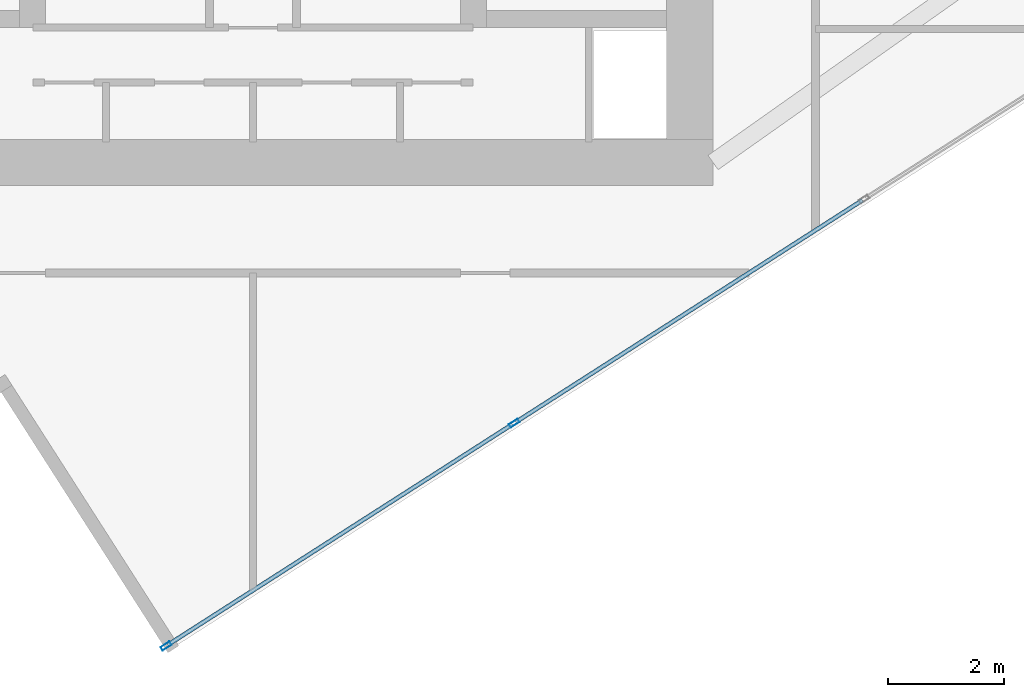
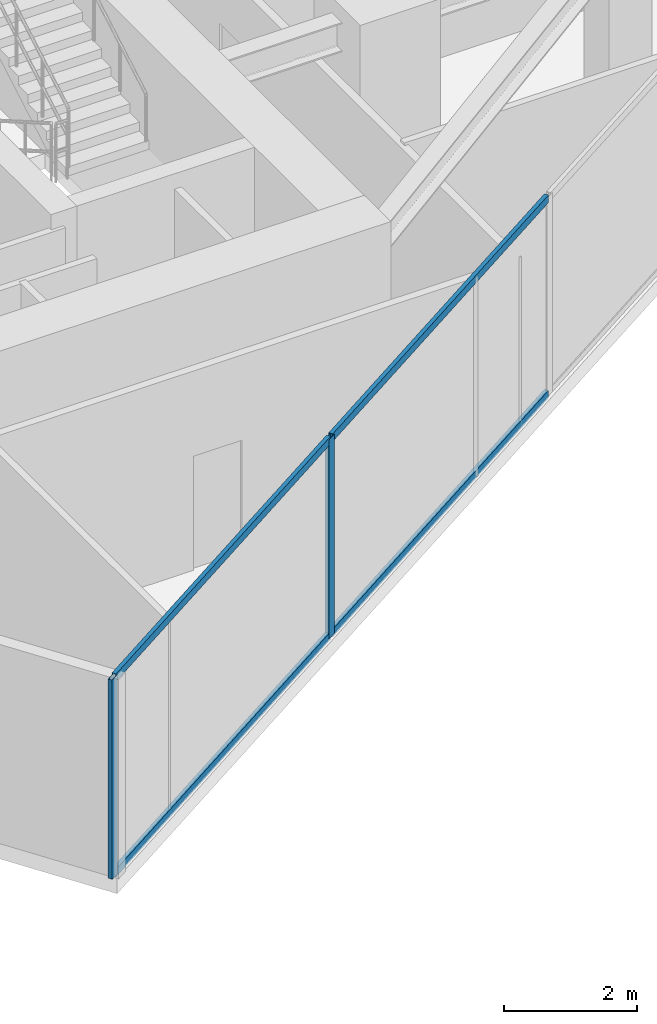
# One storey, part 3 of 20: 6 members, 1 element without a shape of its own.
"""IFC4 building model written with IfcOpenShell, lengths in metres."""

from ifc_helpers import new_model, si_unit, direction, frame, origin, origin_2d, place, context, subcontext, project, spatial, hollow_rectangle, extrude, source, transform, mapped, material, material_profile, profile_set, type_object, type_shapes, element, aggregate, save


model = new_model("IFC4")

# Units and contexts
model_context = context("Model", 3, precision=1e-05, world=origin(), true_north=direction((0.0, 1.0)))
body_context = subcontext(model_context, "Body", "Model", "MODEL_VIEW")
ifc_project = project(units=[si_unit("LENGTHUNIT", "METRE"), si_unit("AREAUNIT", "SQUARE_METRE"), si_unit("VOLUMEUNIT", "CUBIC_METRE"), si_unit("PLANEANGLEUNIT", "RADIAN"), si_unit("MASSUNIT", "GRAM", prefix="KILO")], contexts=[model_context])

# Site, building, storey
site_placement = place(None, origin())
site = spatial("IfcSite", under=ifc_project, at=site_placement, CompositionType="ELEMENT")
building_placement = place(site_placement, origin())
building = spatial("IfcBuilding", under=site, at=building_placement, Name="Krantzveldt Concourse Tower", CompositionType="ELEMENT")
storey_placement = place(building_placement, frame((0.0, 0.0, 283.199951171875)))
storey = spatial("IfcBuildingStorey", under=building, at=storey_placement, Name="L69", CompositionType="ELEMENT", Elevation=283.199951171875)

# Curtain wall, members
ifc_material = material(Name="Anodised aluminium 6063-T6", Category="aluminium")
curtain_wall_type = type_object("IfcCurtainWallType", Name="CW4", PredefinedType="USERDEFINED", material=ifc_material)
curtain_wall_placement = place(storey_placement, origin())
curtain_wall = element("IfcCurtainWall", 1, at=curtain_wall_placement, inside=storey, type_object=curtain_wall_type, Name="CW-L69-F07", ObjectType="UNITISED CURTAIN WALL", PredefinedType="USERDEFINED")
ifc_material_profile_1 = material_profile(ifc_material, hollow_rectangle(XDim=0.070068359375, YDim=0.179931640625, WallThickness=0.0048828125, at=origin_2d()), Name="Anodised aluminium 6063-T6", Category="aluminium")
ifc_profile_set_1 = profile_set([ifc_material_profile_1], Name="Anodised aluminium 6063-T6 - ALU-MULL 180x70x5")
member_type_1 = type_object("IfcMemberType", Name="CW-MUL-180", PredefinedType="MULLION", material=ifc_profile_set_1)
shared_shape_1 = source(origin(), body_context, "Body", "SweptSolid", [
    extrude(hollow_rectangle(XDim=0.070068359375, YDim=0.179931640625, WallThickness=0.0048828125, at=origin_2d()), origin(), (0.0, 0.0, 1.0), 3.670166015625),
])
type_shapes(member_type_1, [shared_shape_1])
member_1_placement = place(storey_placement, frame((34.50439453125, 2.57763671875, 0.0), z_axis=(0.0, 0.0, 1.0), x_axis=(-0.53913830827, 0.842217243088, 0.0)))
member_1 = element("IfcMember", 2, at=member_1_placement, type_object=member_type_1, Name="CW-Z56 mullion 1", PredefinedType="MULLION", context=body_context, shape_type="MappedRepresentation", body=[
    mapped(shared_shape_1, transform((0.0, 0.0, 0.0), x_axis=(1.0, 0.0, 0.0), y_axis=(0.0, 1.0, 0.0), z_axis=(0.0, 0.0, 1.0), scale=1.0)),
])
member_2_placement = place(storey_placement, frame((40.496826171875, 6.41357421875, 0.0), z_axis=(0.0, 0.0, 1.0), x_axis=(-0.53913830827, 0.842217243088, 0.0)))
member_2 = element("IfcMember", 3, at=member_2_placement, type_object=member_type_1, Name="CW-Z56 mullion 2", PredefinedType="MULLION", context=body_context, shape_type="MappedRepresentation", body=[
    mapped(shared_shape_1, transform((0.0, 0.0, 0.0), x_axis=(1.0, 0.0, 0.0), y_axis=(0.0, 1.0, 0.0), z_axis=(0.0, 0.0, 1.0), scale=1.0)),
])
ifc_material_profile_2 = material_profile(ifc_material, hollow_rectangle(XDim=0.070068359375, YDim=0.139892578125, WallThickness=0.0048828125, at=origin_2d()), Name="Anodised aluminium 6063-T6", Category="aluminium")
ifc_profile_set_2 = profile_set([ifc_material_profile_2], Name="Anodised aluminium 6063-T6 - ALU-TRAN 140x70x5")
member_type_2 = type_object("IfcMemberType", Name="CW-TRN-150", PredefinedType="USERDEFINED", material=ifc_profile_set_2)
shared_shape_2 = source(origin(), body_context, "Body", "SweptSolid", [
    extrude(hollow_rectangle(XDim=0.070068359375, YDim=0.139892578125, WallThickness=0.0048828125, at=origin_2d()), origin(), (0.0, 0.0, 1.0), 7.044921875),
])
member_3_placement = place(storey_placement, frame((34.533935546875, 2.596435546875, 0.03515625), z_axis=(0.842222935186, 0.539129416232, 0.0), x_axis=(-0.539129416232, 0.842222935186, 0.0)))
member_3 = element("IfcMember", 4, at=member_3_placement, type_object=member_type_2, Name="CW-Z56 transom 1.1", ObjectType="TRANSOM", PredefinedType="USERDEFINED", context=body_context, shape_type="MappedRepresentation", body=[
    mapped(shared_shape_2, transform((0.0, 0.0, 0.0), x_axis=(1.0, 0.0, 0.0), y_axis=(0.0, 1.0, 0.0), z_axis=(0.0, 0.0, 1.0), scale=1.0)),
])
member_4_placement = place(storey_placement, frame((34.533935546875, 2.596435546875, 3.635009765625), z_axis=(0.842222935186, 0.539129416232, 0.0), x_axis=(-0.539129416232, 0.842222935186, 0.0)))
member_4 = element("IfcMember", 5, at=member_4_placement, type_object=member_type_2, Name="CW-Z56 transom 1.2", ObjectType="TRANSOM", PredefinedType="USERDEFINED", context=body_context, shape_type="MappedRepresentation", body=[
    mapped(shared_shape_2, transform((0.0, 0.0, 0.0), x_axis=(1.0, 0.0, 0.0), y_axis=(0.0, 1.0, 0.0), z_axis=(0.0, 0.0, 1.0), scale=1.0)),
])
shared_shape_3 = source(origin(), body_context, "Body", "SweptSolid", [
    extrude(hollow_rectangle(XDim=0.070068359375, YDim=0.139892578125, WallThickness=0.0048828125, at=origin_2d()), origin(), (0.0, 0.0, 1.0), 7.080078125),
])
type_shapes(member_type_2, [shared_shape_2, shared_shape_3])
member_5_placement = place(storey_placement, frame((40.526123046875, 6.432373046875, 0.03515625), z_axis=(0.842214406915, 0.539142738786, 0.0), x_axis=(-0.539142738786, 0.842214406915, 0.0)))
member_5 = element("IfcMember", 6, at=member_5_placement, type_object=member_type_2, Name="CW-Z56 transom 2.1", ObjectType="TRANSOM", PredefinedType="USERDEFINED", context=body_context, shape_type="MappedRepresentation", body=[
    mapped(shared_shape_3, transform((0.0, 0.0, 0.0), x_axis=(1.0, 0.0, 0.0), y_axis=(0.0, 1.0, 0.0), z_axis=(0.0, 0.0, 1.0), scale=1.0)),
])
member_6_placement = place(storey_placement, frame((40.526123046875, 6.432373046875, 3.635009765625), z_axis=(0.842214406915, 0.539142738786, 0.0), x_axis=(-0.539142738786, 0.842214406915, 0.0)))
member_6 = element("IfcMember", 7, at=member_6_placement, type_object=member_type_2, Name="CW-Z56 transom 2.2", ObjectType="TRANSOM", PredefinedType="USERDEFINED", context=body_context, shape_type="MappedRepresentation", body=[
    mapped(shared_shape_3, transform((0.0, 0.0, 0.0), x_axis=(1.0, 0.0, 0.0), y_axis=(0.0, 1.0, 0.0), z_axis=(0.0, 0.0, 1.0), scale=1.0)),
])
aggregate(curtain_wall, [member_1, member_2, member_3, member_4, member_5, member_6])

save(model, "model.ifc")
